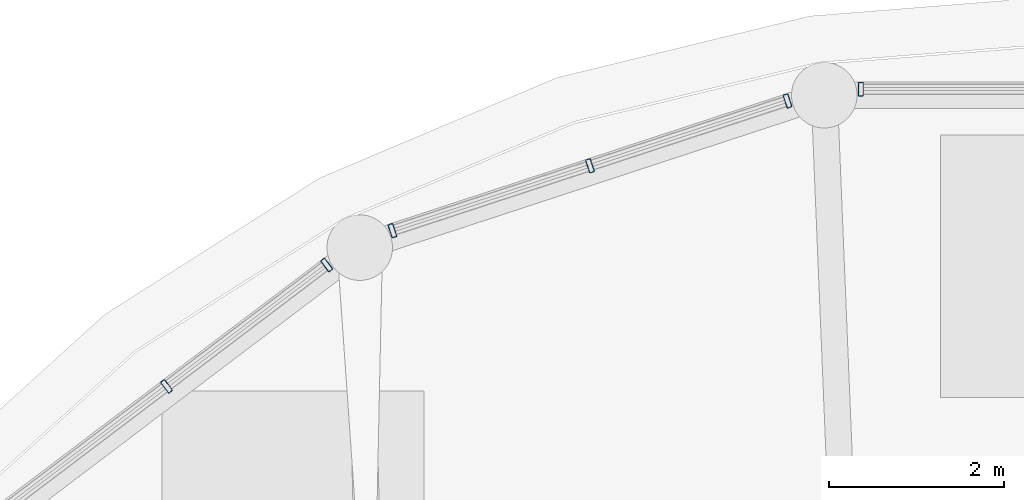
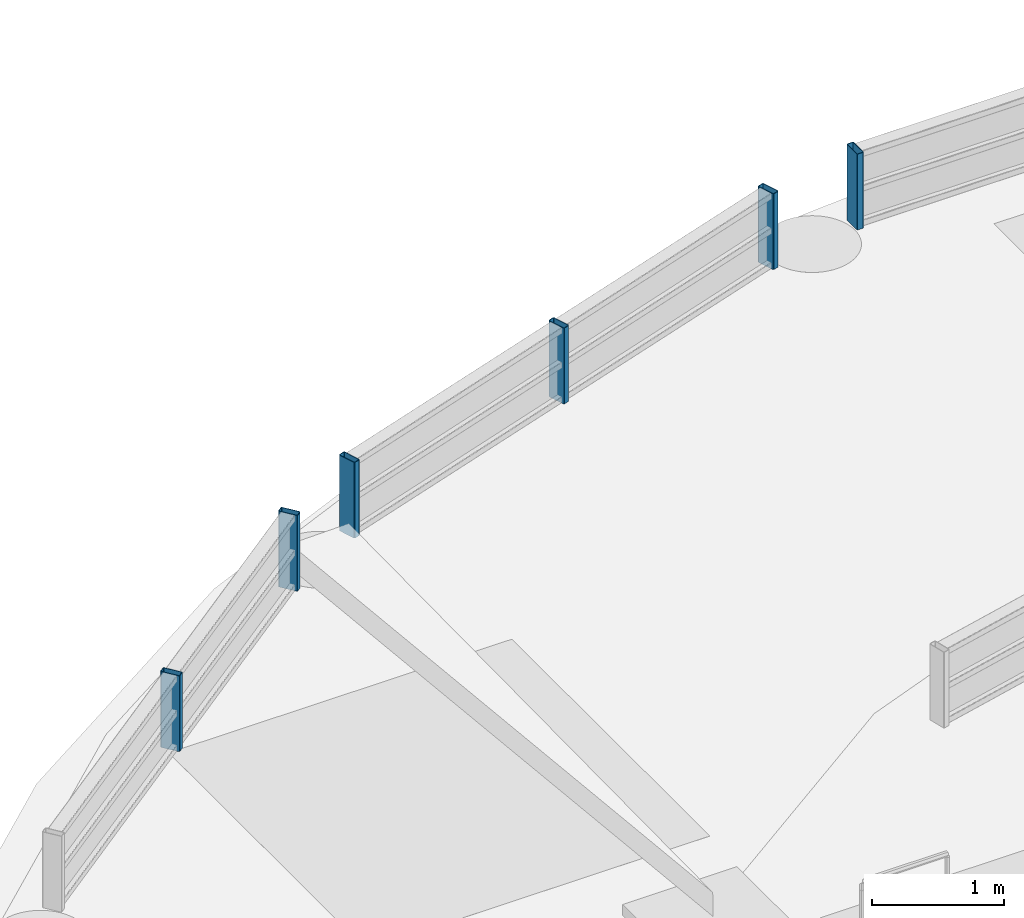
# One storey, part 14 of 21: 6 members, 3 elements without a shape of their own.
"""IFC4 building model written with IfcOpenShell, lengths in metres."""

from ifc_helpers import new_model, si_unit, direction, frame, origin, origin_2d, place, context, subcontext, project, spatial, hollow_rectangle, extrude, material, layer, layer_set, material_profile, profile_set, type_object, element, aggregate, save


model = new_model("IFC4")

# Units and contexts
model_context = context("Model", 3, precision=1e-05, world=origin(), true_north=direction((0.0, 1.0)))
body_context = subcontext(model_context, "Body", "Model", "MODEL_VIEW")
ifc_project = project(units=[si_unit("LENGTHUNIT", "METRE"), si_unit("AREAUNIT", "SQUARE_METRE"), si_unit("VOLUMEUNIT", "CUBIC_METRE"), si_unit("PLANEANGLEUNIT", "RADIAN"), si_unit("MASSUNIT", "GRAM", prefix="KILO")], contexts=[model_context])

# Site, building, storey
site_placement = place(None, origin())
site = spatial("IfcSite", under=ifc_project, at=site_placement, CompositionType="ELEMENT")
building_placement = place(site_placement, origin())
building = spatial("IfcBuilding", under=site, at=building_placement, Name="Kelanora Arch Commons", CompositionType="ELEMENT")
storey_placement = place(building_placement, frame((0.0, 0.0, 311.10009765625)))
storey = spatial("IfcBuildingStorey", under=building, at=storey_placement, Name="RF", CompositionType="ELEMENT", Elevation=311.10009765625)

# Curtain wall, member
ifc_material_1 = material(Name="Terracotta ceramic-fritted low-E glass and aluminium", Category="masonry")
ifc_layer = layer(ifc_material_1, 0.14990234375)
ifc_layer_set = layer_set([ifc_layer], Name="Terracotta ceramic-fritted low-E glass and aluminium")
curtain_wall_type = type_object("IfcCurtainWallType", Name="CW-SYS-06", PredefinedType="NOTDEFINED", material=ifc_layer_set)
curtain_wall_1_placement = place(storey_placement, origin())
curtain_wall_1 = element("IfcCurtainWall", 1, at=curtain_wall_1_placement, inside=storey, type_object=curtain_wall_type, Name="Sloped Glass Crown Lantern T1-05", PredefinedType="NOTDEFINED")
ifc_material_2 = material(Name="Powder-coated aluminium terracotta", Category="masonry")
ifc_material_profile = material_profile(ifc_material_2, hollow_rectangle(XDim=0.159912109375, YDim=0.06005859375, WallThickness=0.0048828125, InnerFilletRadius=0.0048828125, OuterFilletRadius=0.010009765625, at=origin_2d()), Name="CWM160x60")
ifc_profile_set = profile_set([ifc_material_profile], Name="Powder-coated aluminium terracotta")
member_type = type_object("IfcMemberType", Name="CWM-STD", PredefinedType="MULLION", material=ifc_profile_set)
member_1_placement = place(storey_placement, frame((71.5908203125, 72.52587890625, 0.58984375), z_axis=(0.0, 0.0, 1.0), x_axis=(0.0, -1.0, 0.0)))
member_1 = element("IfcMember", 2, at=member_1_placement, type_object=member_type, Name="CW-06 mullion 3", PredefinedType="MULLION", context=body_context, shape_type="SweptSolid", body=[
    extrude(hollow_rectangle(XDim=0.159912109375, YDim=0.06005859375, WallThickness=0.0048828125, InnerFilletRadius=0.0048828125, OuterFilletRadius=0.010009765625, at=origin_2d()), origin(), (0.0, 0.0, 1.0), 0.699951171875),
])
aggregate(curtain_wall_1, [member_1])

# Curtain wall, members
curtain_wall_2_placement = place(storey_placement, origin())
curtain_wall_2 = element("IfcCurtainWall", 3, at=curtain_wall_2_placement, inside=storey, type_object=curtain_wall_type, Name="Sloped Glass Crown Lantern T1-06", PredefinedType="NOTDEFINED")
member_2_placement = place(storey_placement, frame((70.75244140625, 72.391845703125, 0.58984375), z_axis=(0.0, 0.0, 1.0), x_axis=(0.311945267732, -0.950100073645, 0.0)))
member_2 = element("IfcMember", 4, at=member_2_placement, type_object=member_type, Name="CW-06 mullion 1", PredefinedType="MULLION", context=body_context, shape_type="SweptSolid", body=[
    extrude(hollow_rectangle(XDim=0.159912109375, YDim=0.06005859375, WallThickness=0.0048828125, InnerFilletRadius=0.0048828125, OuterFilletRadius=0.010009765625, at=origin_2d()), origin(), (0.0, 0.0, 1.0), 0.699951171875),
])
member_3_placement = place(storey_placement, frame((68.492919921875, 71.64990234375, 0.58984375), z_axis=(0.0, 0.0, 1.0), x_axis=(0.311945267732, -0.950100073645, 0.0)))
member_3 = element("IfcMember", 5, at=member_3_placement, type_object=member_type, Name="CW-06 mullion 2", PredefinedType="MULLION", context=body_context, shape_type="SweptSolid", body=[
    extrude(hollow_rectangle(XDim=0.159912109375, YDim=0.06005859375, WallThickness=0.0048828125, InnerFilletRadius=0.0048828125, OuterFilletRadius=0.010009765625, at=origin_2d()), origin(), (0.0, 0.0, 1.0), 0.699951171875),
])
member_4_placement = place(storey_placement, frame((66.2333984375, 70.907958984375, 0.58984375), z_axis=(0.0, 0.0, 1.0), x_axis=(0.311945267732, -0.950100073645, 0.0)))
member_4 = element("IfcMember", 6, at=member_4_placement, type_object=member_type, Name="CW-06 mullion 3", PredefinedType="MULLION", context=body_context, shape_type="SweptSolid", body=[
    extrude(hollow_rectangle(XDim=0.159912109375, YDim=0.06005859375, WallThickness=0.0048828125, InnerFilletRadius=0.0048828125, OuterFilletRadius=0.010009765625, at=origin_2d()), origin(), (0.0, 0.0, 1.0), 0.699951171875),
])
aggregate(curtain_wall_2, [member_2, member_3, member_4])

curtain_wall_3_placement = place(storey_placement, origin())
curtain_wall_3 = element("IfcCurtainWall", 7, at=curtain_wall_3_placement, inside=storey, type_object=curtain_wall_type, Name="Sloped Glass Crown Lantern T1-07", PredefinedType="NOTDEFINED")
member_5_placement = place(storey_placement, frame((65.482177734375, 70.514404296875, 0.58984375), z_axis=(0.0, 0.0, 1.0), x_axis=(0.603568166432, -0.797311399937, 0.0)))
member_5 = element("IfcMember", 8, at=member_5_placement, type_object=member_type, Name="CW-06 mullion 1", PredefinedType="MULLION", context=body_context, shape_type="SweptSolid", body=[
    extrude(hollow_rectangle(XDim=0.159912109375, YDim=0.06005859375, WallThickness=0.0048828125, InnerFilletRadius=0.0048828125, OuterFilletRadius=0.010009765625, at=origin_2d()), origin(), (0.0, 0.0, 1.0), 0.699951171875),
])
member_6_placement = place(storey_placement, frame((63.650146484375, 69.12744140625, 0.58984375), z_axis=(0.0, 0.0, 1.0), x_axis=(0.603568166432, -0.797311399937, 0.0)))
member_6 = element("IfcMember", 9, at=member_6_placement, type_object=member_type, Name="CW-06 mullion 2", PredefinedType="MULLION", context=body_context, shape_type="SweptSolid", body=[
    extrude(hollow_rectangle(XDim=0.159912109375, YDim=0.06005859375, WallThickness=0.0048828125, InnerFilletRadius=0.0048828125, OuterFilletRadius=0.010009765625, at=origin_2d()), origin(), (0.0, 0.0, 1.0), 0.699951171875),
])
aggregate(curtain_wall_3, [member_5, member_6])

save(model, "model.ifc")
